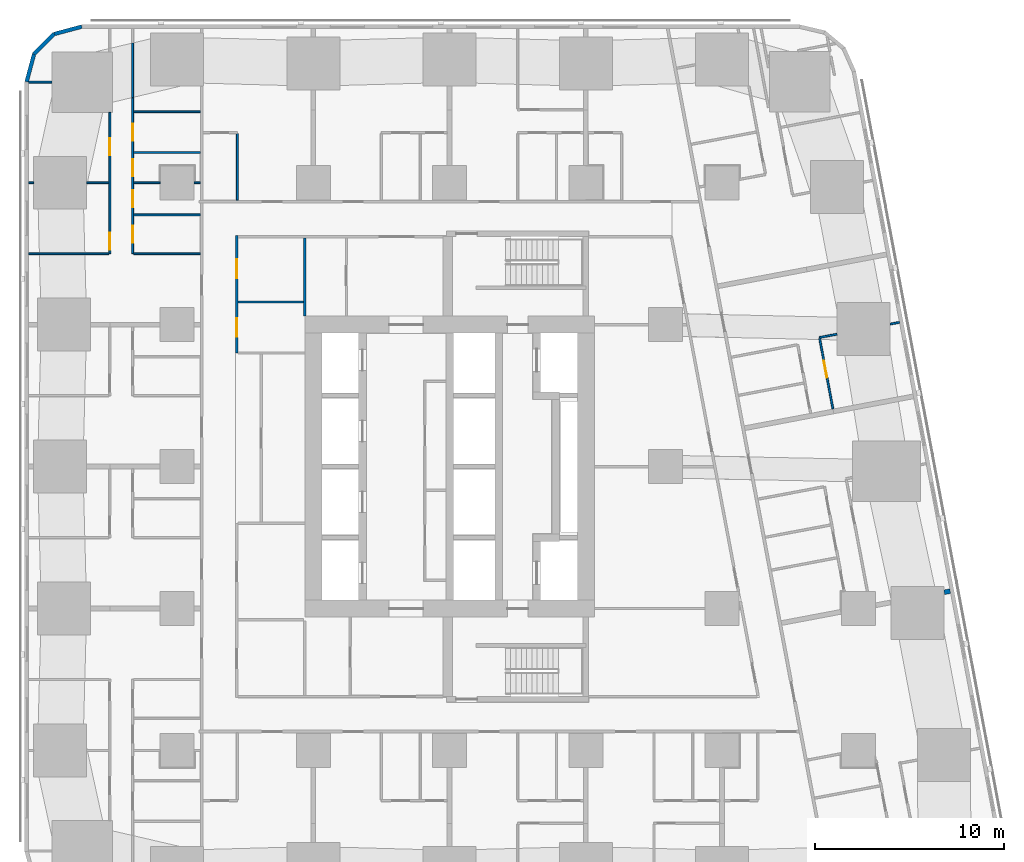
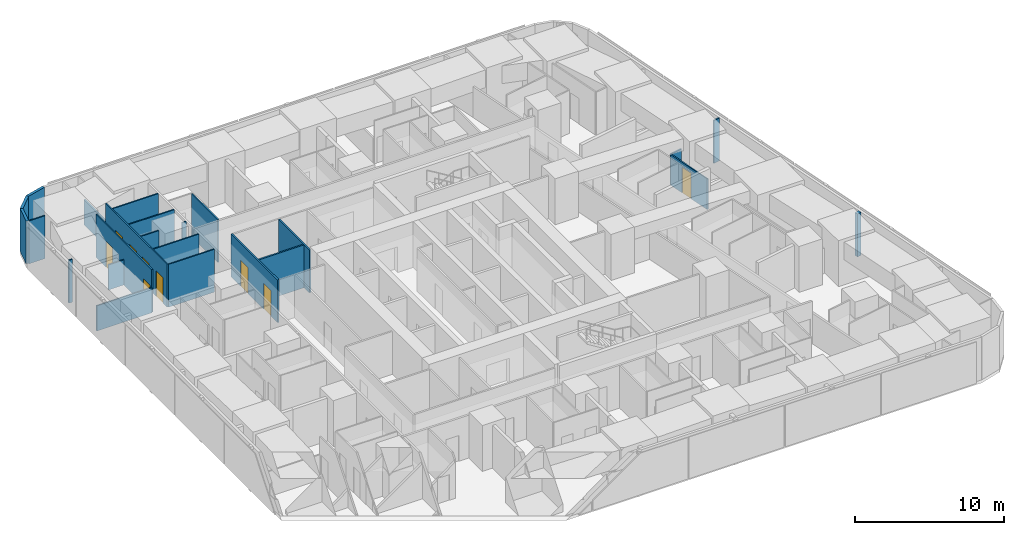
# One storey, part 8 of 15: 24 walls, 9 doors, 9 openings.
"""IFC4 building model written with IfcOpenShell, lengths in metres."""

from ifc_helpers import new_model, si_unit, direction, frame, frame_2d, origin, place, context, subcontext, project, spatial, rectangle, extrude, material, layer, layer_set, type_object, element, fill, save


model = new_model("IFC4")

# Units and contexts
model_context = context("Model", 3, precision=1e-05, world=origin(), true_north=direction((0.0, 1.0)))
body_context = subcontext(model_context, "Body", "Model", "MODEL_VIEW")
ifc_project = project(units=[si_unit("LENGTHUNIT", "METRE"), si_unit("AREAUNIT", "SQUARE_METRE"), si_unit("VOLUMEUNIT", "CUBIC_METRE"), si_unit("PLANEANGLEUNIT", "RADIAN"), si_unit("MASSUNIT", "GRAM", prefix="KILO")], contexts=[model_context])

# Site, building, storey
site_placement = place(None, origin())
site = spatial("IfcSite", under=ifc_project, at=site_placement, CompositionType="ELEMENT")
building_placement = place(site_placement, origin())
building = spatial("IfcBuilding", under=site, at=building_placement, Name="Sheger Commons Tower", CompositionType="ELEMENT")
storey_placement = place(building_placement, frame((0.0, 0.0, 42.5)))
storey = spatial("IfcBuildingStorey", under=building, at=storey_placement, Name="L10", CompositionType="ELEMENT", Elevation=42.5)

# Walls
ifc_material_1 = material(Name="Dense concrete block masonry, plastered both sides (separating wall between flats)", Category="masonry")
ifc_layer_1 = layer(ifc_material_1, 0.25)
ifc_layer_set_1 = layer_set([ifc_layer_1], Name="DEMISING WALL 250")
wall_type_1 = type_object("IfcWallType", Name="DEMISING WALL 250", PredefinedType="SOLIDWALL", material=ifc_layer_set_1)
wall_1_placement = place(storey_placement, frame((48.054931640625, 15.9169921875, 0.0), z_axis=(0.0, 0.0, 1.0), x_axis=(-0.982510408223, -0.186207673669, 0.0)))
element("IfcWall", 1, at=wall_1_placement, inside=storey, type_object=wall_type_1, Name="Demising wall L10", PredefinedType="SOLIDWALL", context=body_context, shape_type="SweptSolid", body=[
    extrude(rectangle(XDim=0.322509765625, YDim=0.25, at=frame_2d((0.1611328125, 0.0))), origin(), (0.0, 0.0, 1.0), 3.5),
])
ifc_material_2 = material(Name="Rendered concrete block masonry, dark grey", Category="masonry")
ifc_layer_2 = layer(ifc_material_2, 0.199951171875)
ifc_layer_set_2 = layer_set([ifc_layer_2], Name="FACADE WALL 200")
wall_type_2 = type_object("IfcWallType", Name="FACADE WALL 200", PredefinedType="SOLIDWALL", material=ifc_layer_set_2)
wall_2_placement = place(storey_placement, frame((2.1630859375, 45.75, 0.0), z_axis=(0.0, 0.0, 1.0), x_axis=(-0.965832000415, -0.259168954497, 0.0)))
element("IfcWall", 2, at=wall_2_placement, inside=storey, type_object=wall_type_2, Name="Facade wall L10", PredefinedType="SOLIDWALL", context=body_context, shape_type="SweptSolid", body=[
    extrude(rectangle(XDim=1.512939453125, YDim=0.199951171875, at=frame_2d((0.75634765625, 0.0))), origin(), (0.0, 0.0, 1.0), 3.5),
])
wall_3_placement = place(storey_placement, frame((0.701904296875, 45.35791015625, 0.0), z_axis=(0.0, 0.0, 1.0), x_axis=(-0.707106781187, -0.707106781187, 0.0)))
element("IfcWall", 3, at=wall_3_placement, inside=storey, type_object=wall_type_2, Name="Facade wall L10", PredefinedType="SOLIDWALL", context=body_context, shape_type="SweptSolid", body=[
    extrude(rectangle(XDim=1.498779296875, YDim=0.199951171875, at=frame_2d((0.74951171875, 0.0))), origin(), (0.0, 0.0, 1.0), 3.5),
])
wall_4_placement = place(storey_placement, frame((-0.35791015625, 44.298095703125, 0.0), z_axis=(0.0, 0.0, 1.0), x_axis=(-0.259168954497, -0.965832000415, 0.0)))
element("IfcWall", 4, at=wall_4_placement, inside=storey, type_object=wall_type_2, Name="Facade wall L10", PredefinedType="SOLIDWALL", context=body_context, shape_type="SweptSolid", body=[
    extrude(rectangle(XDim=1.512939453125, YDim=0.199951171875, at=frame_2d((0.75634765625, 0.0))), origin(), (0.0, 0.0, 1.0), 3.5),
])

# Wall, openings, doors
ifc_material_3 = material(Name="Gypsum board on steel studs", Category="steel")
ifc_layer_3 = layer(ifc_material_3, 0.10009765625)
ifc_layer_set_3 = layer_set([ifc_layer_3], Name="PARTITION 100")
wall_type_3 = type_object("IfcWallType", Name="PARTITION 100", PredefinedType="PARTITIONING", material=ifc_layer_set_3)
wall_5_placement = place(storey_placement, frame((3.64990234375, 33.75, 0.0), z_axis=(0.0, 0.0, 1.0), x_axis=(0.0, 1.0, 0.0)))
wall_5 = element("IfcWall", 5, at=wall_5_placement, inside=storey, type_object=wall_type_3, Name="Partition L10", PredefinedType="PARTITIONING", context=body_context, shape_type="SweptSolid", body=[
    extrude(rectangle(XDim=7.462890625, YDim=0.10009765625, at=frame_2d((3.7314453125, 0.0))), origin(), (0.0, 0.0, 1.0), 3.5),
])
opening_1_placement = place(wall_5_placement, frame((0.199951171875, 0.0, 0.0)))
opening_1 = element("IfcOpeningElement", 6, at=opening_1_placement, cuts=wall_5, Name="Opening D2", PredefinedType="OPENING", context=body_context, shape_type="SweptSolid", body=[
    extrude(rectangle(XDim=0.89990234375, YDim=2.10009765625, at=frame_2d((0.449951171875, 1.050048828125))), frame((0.0, 0.06005859375, 0.0), z_axis=(0.0, -1.0, 0.0), x_axis=(1.0, 0.0, 0.0)), (0.0, 0.0, 1.0), 0.1201171875),
])
opening_2_placement = place(wall_5_placement, frame((5.199951171875, 0.0, 0.0)))
opening_2 = element("IfcOpeningElement", 7, at=opening_2_placement, cuts=wall_5, Name="Opening D2", PredefinedType="OPENING", context=body_context, shape_type="SweptSolid", body=[
    extrude(rectangle(XDim=0.89990234375, YDim=2.10009765625, at=frame_2d((0.449951171875, 1.050048828125))), frame((0.0, 0.06005859375, 0.0), z_axis=(0.0, -1.0, 0.0), x_axis=(1.0, 0.0, 0.0)), (0.0, 0.0, 1.0), 0.1201171875),
])
ifc_material_4 = material(Name="Timber door set", Category="wood")
door_type_1 = type_object("IfcDoorType", Name="INTERNAL DOOR 900x2100", OperationType="NOTDEFINED", PredefinedType="DOOR", material=ifc_material_4)
door_1_placement = place(opening_1_placement, origin())
door_1 = element("IfcDoor", 8, at=door_1_placement, inside=storey, type_object=door_type_1, Name="Main bedroom door", OperationType="SINGLE_SWING_LEFT", OverallHeight=2.10009765625, OverallWidth=0.89990234375, PredefinedType="DOOR", context=body_context, shape_type="SweptSolid", body=[
    extrude(rectangle(XDim=0.89990234375, YDim=2.10009765625, at=frame_2d((0.449951171875, 1.050048828125))), frame((0.0, 0.02490234375, 0.0), z_axis=(0.0, -1.0, 0.0), x_axis=(1.0, 0.0, 0.0)), (0.0, 0.0, 1.0), 0.050048828125),
])
fill(opening_1, door_1)
door_2_placement = place(opening_2_placement, origin())
door_2 = element("IfcDoor", 9, at=door_2_placement, inside=storey, type_object=door_type_1, Name="Bedroom 2 door", OperationType="SINGLE_SWING_RIGHT", OverallHeight=2.10009765625, OverallWidth=0.89990234375, PredefinedType="DOOR", context=body_context, shape_type="SweptSolid", body=[
    extrude(rectangle(XDim=0.89990234375, YDim=2.10009765625, at=frame_2d((0.449951171875, 1.050048828125))), frame((0.0, 0.02490234375, 0.0), z_axis=(0.0, -1.0, 0.0), x_axis=(1.0, 0.0, 0.0)), (0.0, 0.0, 1.0), 0.050048828125),
])
fill(opening_2, door_2)

wall_6_placement = place(storey_placement, frame((4.85009765625, 33.75, 0.0), z_axis=(0.0, 0.0, 1.0), x_axis=(0.0, 1.0, 0.0)))
wall_6 = element("IfcWall", 10, at=wall_6_placement, inside=storey, type_object=wall_type_3, Name="Partition L10", PredefinedType="PARTITIONING", context=body_context, shape_type="SweptSolid", body=[
    extrude(rectangle(XDim=8.243896484375, YDim=0.10009765625, at=frame_2d((4.1220703125, 0.0))), origin(), (0.0, 0.0, 1.0), 3.5),
])
opening_3_placement = place(wall_6_placement, frame((0.574951171875, 0.0, 0.0)))
opening_3 = element("IfcOpeningElement", 11, at=opening_3_placement, cuts=wall_6, Name="Opening D2", PredefinedType="OPENING", context=body_context, shape_type="SweptSolid", body=[
    extrude(rectangle(XDim=0.89990234375, YDim=2.10009765625, at=frame_2d((0.449951171875, 1.050048828125))), frame((0.0, 0.06005859375, 0.0), z_axis=(0.0, -1.0, 0.0), x_axis=(1.0, 0.0, 0.0)), (0.0, 0.0, 1.0), 0.1201171875),
])
opening_4_placement = place(wall_6_placement, frame((4.10009765625, 0.0, 0.0)))
opening_4 = element("IfcOpeningElement", 12, at=opening_4_placement, cuts=wall_6, Name="Opening D2", PredefinedType="OPENING", context=body_context, shape_type="SweptSolid", body=[
    extrude(rectangle(XDim=0.89990234375, YDim=2.10009765625, at=frame_2d((0.449951171875, 1.050048828125))), frame((0.0, 0.06005859375, 0.0), z_axis=(0.0, -1.0, 0.0), x_axis=(1.0, 0.0, 0.0)), (0.0, 0.0, 1.0), 0.1201171875),
])
opening_5_placement = place(wall_6_placement, frame((2.449951171875, 0.0, 0.0)))
opening_5 = element("IfcOpeningElement", 13, at=opening_5_placement, cuts=wall_6, Name="Opening D2", PredefinedType="OPENING", context=body_context, shape_type="SweptSolid", body=[
    extrude(rectangle(XDim=0.89990234375, YDim=2.10009765625, at=frame_2d((0.449951171875, 1.050048828125))), frame((0.0, 0.06005859375, 0.0), z_axis=(0.0, -1.0, 0.0), x_axis=(1.0, 0.0, 0.0)), (0.0, 0.0, 1.0), 0.1201171875),
])
opening_6_placement = place(wall_6_placement, frame((5.97509765625, 0.0, 0.0)))
opening_6 = element("IfcOpeningElement", 14, at=opening_6_placement, cuts=wall_6, Name="Opening D2", PredefinedType="OPENING", context=body_context, shape_type="SweptSolid", body=[
    extrude(rectangle(XDim=0.89990234375, YDim=2.10009765625, at=frame_2d((0.449951171875, 1.050048828125))), frame((0.0, 0.06005859375, 0.0), z_axis=(0.0, -1.0, 0.0), x_axis=(1.0, 0.0, 0.0)), (0.0, 0.0, 1.0), 0.1201171875),
])
door_3_placement = place(opening_3_placement, origin())
door_3 = element("IfcDoor", 15, at=door_3_placement, inside=storey, type_object=door_type_1, Name="Bathroom door", OperationType="SINGLE_SWING_RIGHT", OverallHeight=2.10009765625, OverallWidth=0.89990234375, PredefinedType="DOOR", context=body_context, shape_type="SweptSolid", body=[
    extrude(rectangle(XDim=0.89990234375, YDim=2.10009765625, at=frame_2d((0.449951171875, 1.050048828125))), frame((0.0, 0.02490234375, 0.0), z_axis=(0.0, -1.0, 0.0), x_axis=(1.0, 0.0, 0.0)), (0.0, 0.0, 1.0), 0.050048828125),
])
fill(opening_3, door_3)
door_4_placement = place(opening_4_placement, origin())
door_4 = element("IfcDoor", 16, at=door_4_placement, inside=storey, type_object=door_type_1, Name="Shower room door", OperationType="SINGLE_SWING_LEFT", OverallHeight=2.10009765625, OverallWidth=0.89990234375, PredefinedType="DOOR", context=body_context, shape_type="SweptSolid", body=[
    extrude(rectangle(XDim=0.89990234375, YDim=2.10009765625, at=frame_2d((0.449951171875, 1.050048828125))), frame((0.0, 0.02490234375, 0.0), z_axis=(0.0, -1.0, 0.0), x_axis=(1.0, 0.0, 0.0)), (0.0, 0.0, 1.0), 0.050048828125),
])
fill(opening_4, door_4)
door_5_placement = place(opening_5_placement, origin())
door_5 = element("IfcDoor", 17, at=door_5_placement, inside=storey, type_object=door_type_1, Name="Store door", OperationType="SINGLE_SWING_LEFT", OverallHeight=2.10009765625, OverallWidth=0.89990234375, PredefinedType="DOOR", context=body_context, shape_type="SweptSolid", body=[
    extrude(rectangle(XDim=0.89990234375, YDim=2.10009765625, at=frame_2d((0.449951171875, 1.050048828125))), frame((0.0, 0.02490234375, 0.0), z_axis=(0.0, -1.0, 0.0), x_axis=(1.0, 0.0, 0.0)), (0.0, 0.0, 1.0), 0.050048828125),
])
fill(opening_5, door_5)
door_6_placement = place(opening_6_placement, origin())
door_6 = element("IfcDoor", 18, at=door_6_placement, inside=storey, type_object=door_type_1, Name="Store door", OperationType="SINGLE_SWING_RIGHT", OverallHeight=2.10009765625, OverallWidth=0.89990234375, PredefinedType="DOOR", context=body_context, shape_type="SweptSolid", body=[
    extrude(rectangle(XDim=0.89990234375, YDim=2.10009765625, at=frame_2d((0.449951171875, 1.050048828125))), frame((0.0, 0.02490234375, 0.0), z_axis=(0.0, -1.0, 0.0), x_axis=(1.0, 0.0, 0.0)), (0.0, 0.0, 1.0), 0.050048828125),
])
fill(opening_6, door_6)

# Walls
wall_7_placement = place(storey_placement, frame((4.85009765625, 41.993896484375, 0.0), z_axis=(0.0, 0.0, 1.0), x_axis=(0.0, 1.0, 0.0)))
element("IfcWall", 19, at=wall_7_placement, inside=storey, type_object=wall_type_3, Name="Partition L10", PredefinedType="PARTITIONING", context=body_context, shape_type="SweptSolid", body=[
    extrude(rectangle(XDim=2.901123046875, YDim=0.10009765625, at=frame_2d((1.45068359375, 0.0))), origin(), (0.0, 0.0, 1.0), 2.050048828125),
])
wall_8_placement = place(storey_placement, frame((-0.64990234375, 33.75, 0.0), z_axis=(0.0, 0.0, 1.0), x_axis=(1.0, 0.0, 0.0)))
element("IfcWall", 20, at=wall_8_placement, inside=storey, type_object=wall_type_3, Name="Partition L10", PredefinedType="PARTITIONING", context=body_context, shape_type="SweptSolid", body=[
    extrude(rectangle(XDim=4.25, YDim=0.10009765625, at=frame_2d((2.125, 0.0))), origin(), (0.0, 0.0, 1.0), 2.050048828125),
])
wall_9_placement = place(storey_placement, frame((-0.64990234375, 37.5, 0.0), z_axis=(0.0, 0.0, 1.0), x_axis=(1.0, 0.0, 0.0)))
element("IfcWall", 21, at=wall_9_placement, inside=storey, type_object=wall_type_3, Name="Partition L10", PredefinedType="PARTITIONING", context=body_context, shape_type="SweptSolid", body=[
    extrude(rectangle(XDim=0.27392578125, YDim=0.10009765625, at=frame_2d((0.136962890625, 0.0))), origin(), (0.0, 0.0, 1.0), 3.5),
])
wall_10_placement = place(storey_placement, frame((2.426025390625, 37.5, 0.0), z_axis=(0.0, 0.0, 1.0), x_axis=(1.0, 0.0, 0.0)))
element("IfcWall", 22, at=wall_10_placement, inside=storey, type_object=wall_type_3, Name="Partition L10", PredefinedType="PARTITIONING", context=body_context, shape_type="SweptSolid", body=[
    extrude(rectangle(XDim=1.174072265625, YDim=0.10009765625, at=frame_2d((0.5869140625, 0.0))), origin(), (0.0, 0.0, 1.0), 2.050048828125),
])
wall_11_placement = place(storey_placement, frame((-0.64990234375, 42.81396484375, 0.0), z_axis=(0.0, 0.0, 1.0), x_axis=(1.0, 0.0, 0.0)))
element("IfcWall", 23, at=wall_11_placement, inside=storey, type_object=wall_type_3, Name="Partition L10", PredefinedType="PARTITIONING", context=body_context, shape_type="SweptSolid", body=[
    extrude(rectangle(XDim=1.23486328125, YDim=0.10009765625, at=frame_2d((0.617431640625, 0.0))), origin(), (0.0, 0.0, 1.0), 3.5),
])
wall_12_placement = place(storey_placement, frame((4.89990234375, 33.75, 0.0), z_axis=(0.0, 0.0, 1.0), x_axis=(1.0, 0.0, 0.0)))
element("IfcWall", 24, at=wall_12_placement, inside=storey, type_object=wall_type_3, Name="Partition L10", PredefinedType="PARTITIONING", context=body_context, shape_type="SweptSolid", body=[
    extrude(rectangle(XDim=3.525146484375, YDim=0.10009765625, at=frame_2d((1.7626953125, 0.0))), origin(), (0.0, 0.0, 1.0), 3.5),
])
wall_13_placement = place(storey_placement, frame((4.89990234375, 37.5, 0.0), z_axis=(0.0, 0.0, 1.0), x_axis=(1.0, 0.0, 0.0)))
element("IfcWall", 25, at=wall_13_placement, inside=storey, type_object=wall_type_3, Name="Partition L10", PredefinedType="PARTITIONING", context=body_context, shape_type="SweptSolid", body=[
    extrude(rectangle(XDim=1.399169921875, YDim=0.10009765625, at=frame_2d((0.69970703125, 0.0))), origin(), (0.0, 0.0, 1.0), 3.5),
])
wall_14_placement = place(storey_placement, frame((8.10107421875, 37.5, 0.0), z_axis=(0.0, 0.0, 1.0), x_axis=(1.0, 0.0, 0.0)))
element("IfcWall", 26, at=wall_14_placement, inside=storey, type_object=wall_type_3, Name="Partition L10", PredefinedType="PARTITIONING", context=body_context, shape_type="SweptSolid", body=[
    extrude(rectangle(XDim=0.323974609375, YDim=0.10009765625, at=frame_2d((0.162109375, 0.0))), origin(), (0.0, 0.0, 1.0), 3.5),
])
for number, where, z_axis, x_axis, name in (
    (27, (4.89990234375, 41.25, 0.0), (0.0, 0.0, 1.0), (1.0, 0.0, 0.0), "Partition L10"),
    (28, (4.89990234375, 35.800048828125, 0.0), (0.0, 0.0, 1.0), (1.0, 0.0, 0.0), "Partition L10"),
    (29, (4.89990234375, 39.10009765625, 0.0), (0.0, 0.0, 1.0), (1.0, 0.0, 0.0), "Partition L10"),
):
    element("IfcWall", number, at=place(storey_placement, frame(where, z_axis=z_axis, x_axis=x_axis)), inside=storey, type_object=wall_type_3, Name=name, PredefinedType="PARTITIONING", context=body_context, shape_type="SweptSolid", body=[
        extrude(rectangle(XDim=3.525146484375, YDim=0.10009765625, at=frame_2d((1.7626953125, 0.0))), origin(), (0.0, 0.0, 1.0), 3.5),
    ])

# Wall, opening, door
wall_15_placement = place(storey_placement, frame((41.156005859375, 29.27294921875, 0.0), z_axis=(0.0, 0.0, 1.0), x_axis=(0.185474762472, -0.982649028131, 0.0)))
wall_15 = element("IfcWall", 30, at=wall_15_placement, inside=storey, type_object=wall_type_3, Name="Partition L10", PredefinedType="PARTITIONING", context=body_context, shape_type="SweptSolid", body=[
    extrude(rectangle(XDim=3.78955078125, YDim=0.10009765625, at=frame_2d((1.894775390625, 0.0))), origin(), (0.0, 0.0, 1.0), 2.5),
])
opening_7_placement = place(wall_15_placement, frame((1.199951171875, 0.0, 0.0)))
opening_7 = element("IfcOpeningElement", 31, at=opening_7_placement, cuts=wall_15, Name="Opening D2", PredefinedType="OPENING", context=body_context, shape_type="SweptSolid", body=[
    extrude(rectangle(XDim=0.89990234375, YDim=2.10009765625, at=frame_2d((0.449951171875, 1.050048828125))), frame((0.0, 0.06005859375, 0.0), z_axis=(0.0, -1.0, 0.0), x_axis=(1.0, 0.0, 0.0)), (0.0, 0.0, 1.0), 0.1201171875),
])
door_7_placement = place(opening_7_placement, origin())
door_7 = element("IfcDoor", 32, at=door_7_placement, inside=storey, type_object=door_type_1, Name="Main bedroom door", OperationType="SINGLE_SWING_LEFT", OverallHeight=2.10009765625, OverallWidth=0.89990234375, PredefinedType="DOOR", context=body_context, shape_type="SweptSolid", body=[
    extrude(rectangle(XDim=0.89990234375, YDim=2.10009765625, at=frame_2d((0.449951171875, 1.050048828125))), frame((0.0, 0.02490234375, 0.0), z_axis=(0.0, -1.0, 0.0), x_axis=(1.0, 0.0, 0.0)), (0.0, 0.0, 1.0), 0.050048828125),
])
fill(opening_7, door_7)

# Walls
wall_16_placement = place(storey_placement, frame((45.3720703125, 30.12109375, 0.0), z_axis=(0.0, 0.0, 1.0), x_axis=(-0.982629142467, -0.185580086147, 0.0)))
element("IfcWall", 33, at=wall_16_placement, inside=storey, type_object=wall_type_3, Name="Partition L10", PredefinedType="PARTITIONING", context=body_context, shape_type="SweptSolid", body=[
    extrude(rectangle(XDim=0.49072265625, YDim=0.10009765625, at=frame_2d((0.245361328125, 0.0))), origin(), (0.0, 0.0, 1.0), 3.5),
])
wall_17_placement = place(storey_placement, frame((42.070068359375, 29.4970703125, 0.0), z_axis=(0.0, 0.0, 1.0), x_axis=(-0.982490624992, -0.186312028067, 0.0)))
element("IfcWall", 34, at=wall_17_placement, inside=storey, type_object=wall_type_3, Name="Partition L10", PredefinedType="PARTITIONING", context=body_context, shape_type="SweptSolid", body=[
    extrude(rectangle(XDim=0.939453125, YDim=0.10009765625, at=frame_2d((0.4697265625, 0.0))), origin(), (0.0, 0.0, 1.0), 2.5),
])
wall_18_placement = place(storey_placement, frame((10.389892578125, 36.574951171875, 0.0), z_axis=(0.0, 0.0, 1.0), x_axis=(0.0, 1.0, 0.0)))
element("IfcWall", 35, at=wall_18_placement, inside=storey, type_object=wall_type_3, Name="Partition L10", PredefinedType="PARTITIONING", context=body_context, shape_type="SweptSolid", body=[
    extrude(rectangle(XDim=3.525146484375, YDim=0.10009765625, at=frame_2d((1.7626953125, 0.0))), origin(), (0.0, 0.0, 1.0), 3.5),
])

# Wall, openings, doors
ifc_material_5 = material(Name="Gypsum board on steel studs, two layers each side, fire rated", Category="steel")
ifc_layer_4 = layer(ifc_material_5, 0.125)
ifc_layer_set_4 = layer_set([ifc_layer_4], Name="SERVICE WALL 125")
wall_type_4 = type_object("IfcWallType", Name="SERVICE WALL 125", PredefinedType="PARTITIONING", material=ifc_layer_set_4)
wall_19_placement = place(storey_placement, frame((10.35009765625, 28.5, 0.0), z_axis=(0.0, 0.0, 1.0), x_axis=(0.0, 1.0, 0.0)))
wall_19 = element("IfcWall", 36, at=wall_19_placement, inside=storey, type_object=wall_type_4, Name="Service room wall L10", PredefinedType="PARTITIONING", context=body_context, shape_type="SweptSolid", body=[
    extrude(rectangle(XDim=6.199951171875, YDim=0.125, at=frame_2d((3.10009765625, 0.0))), origin(), (0.0, 0.0, 1.0), 3.5),
])
opening_8_placement = place(wall_19_placement, frame((0.85009765625, 0.0, 0.0)))
opening_8 = element("IfcOpeningElement", 37, at=opening_8_placement, cuts=wall_19, Name="Opening D4", PredefinedType="OPENING", context=body_context, shape_type="SweptSolid", body=[
    extrude(rectangle(XDim=1.0, YDim=2.10009765625, at=frame_2d((0.5, 1.050048828125))), frame((0.0, 0.072509765625, 0.0), z_axis=(0.0, -1.0, 0.0), x_axis=(1.0, 0.0, 0.0)), (0.0, 0.0, 1.0), 0.14501953125),
])
opening_9_placement = place(wall_19_placement, frame((3.949951171875, 0.0, 0.0)))
opening_9 = element("IfcOpeningElement", 38, at=opening_9_placement, cuts=wall_19, Name="Opening D4", PredefinedType="OPENING", context=body_context, shape_type="SweptSolid", body=[
    extrude(rectangle(XDim=1.0, YDim=2.10009765625, at=frame_2d((0.5, 1.050048828125))), frame((0.0, 0.072509765625, 0.0), z_axis=(0.0, -1.0, 0.0), x_axis=(1.0, 0.0, 0.0)), (0.0, 0.0, 1.0), 0.14501953125),
])
ifc_material_6 = material(Name="Steel door set, fire rated", Category="steel")
door_type_2 = type_object("IfcDoorType", Name="SERVICE DOOR 1000x2100", OperationType="NOTDEFINED", PredefinedType="DOOR", material=ifc_material_6)
door_8_placement = place(opening_8_placement, origin())
door_8 = element("IfcDoor", 39, at=door_8_placement, inside=storey, type_object=door_type_2, Name="Cleaner's store door", OperationType="SINGLE_SWING_RIGHT", OverallHeight=2.10009765625, OverallWidth=1.0, PredefinedType="DOOR", context=body_context, shape_type="SweptSolid", body=[
    extrude(rectangle(XDim=1.0, YDim=2.10009765625, at=frame_2d((0.5, 1.050048828125))), frame((0.0, 0.02490234375, 0.0), z_axis=(0.0, -1.0, 0.0), x_axis=(1.0, 0.0, 0.0)), (0.0, 0.0, 1.0), 0.050048828125),
])
fill(opening_8, door_8)
door_9_placement = place(opening_9_placement, origin())
door_9 = element("IfcDoor", 40, at=door_9_placement, inside=storey, type_object=door_type_2, Name="Linen store door", OperationType="SINGLE_SWING_LEFT", OverallHeight=2.10009765625, OverallWidth=1.0, PredefinedType="DOOR", context=body_context, shape_type="SweptSolid", body=[
    extrude(rectangle(XDim=1.0, YDim=2.10009765625, at=frame_2d((0.5, 1.050048828125))), frame((0.0, 0.02490234375, 0.0), z_axis=(0.0, -1.0, 0.0), x_axis=(1.0, 0.0, 0.0)), (0.0, 0.0, 1.0), 0.050048828125),
])
fill(opening_9, door_9)

# Walls
wall_20_placement = place(storey_placement, frame((10.4130859375, 31.199951171875, 0.0), z_axis=(0.0, 0.0, 1.0), x_axis=(1.0, 0.0, 0.0)))
element("IfcWall", 41, at=wall_20_placement, inside=storey, type_object=wall_type_4, Name="Service room wall L10", PredefinedType="PARTITIONING", context=body_context, shape_type="SweptSolid", body=[
    extrude(rectangle(XDim=3.474853515625, YDim=0.125, at=frame_2d((1.7373046875, 0.0))), origin(), (0.0, 0.0, 1.0), 3.5),
])
wall_21_placement = place(storey_placement, frame((13.949951171875, 30.449951171875, 0.0), z_axis=(0.0, 0.0, 1.0), x_axis=(0.0, 1.0, 0.0)))
element("IfcWall", 42, at=wall_21_placement, inside=storey, type_object=wall_type_4, Name="Service room wall L10", PredefinedType="PARTITIONING", context=body_context, shape_type="SweptSolid", body=[
    extrude(rectangle(XDim=4.136962890625, YDim=0.125, at=frame_2d((2.068359375, 0.0))), origin(), (0.0, 0.0, 1.0), 3.5),
])

save(model, "model.ifc")
